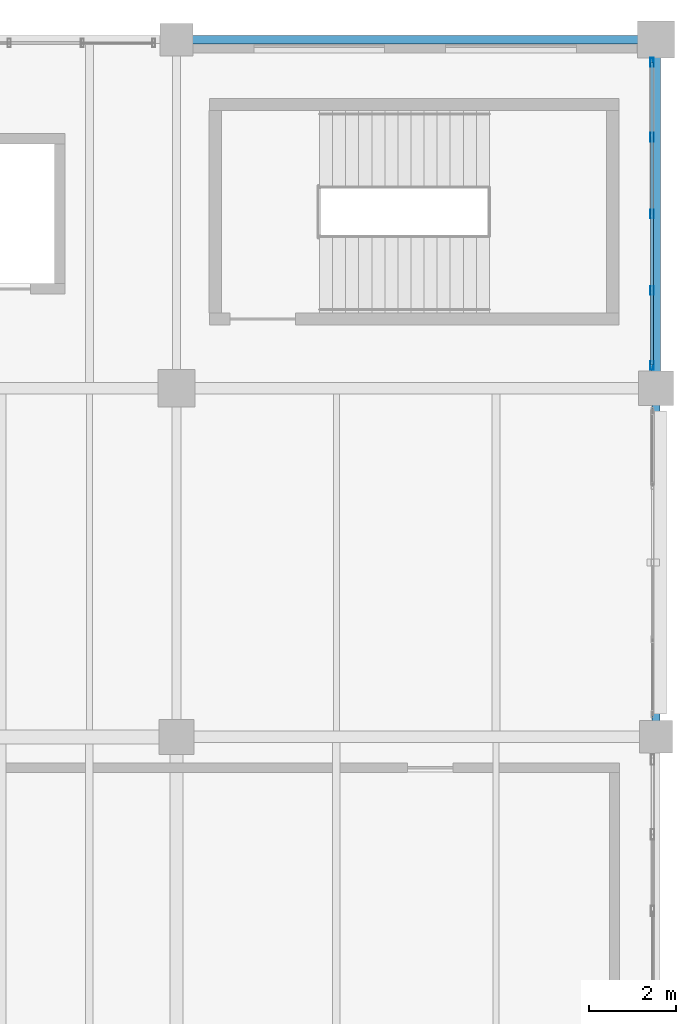
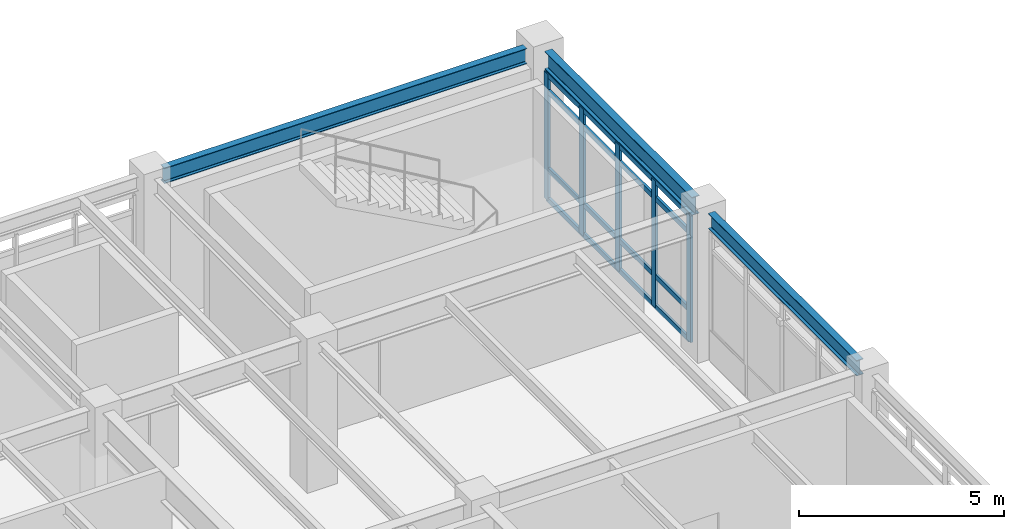
# One storey, part 124 of 168: 9 members, 3 beams, 1 element without a shape of its own.
"""IFC4 building model written with IfcOpenShell, lengths in metres."""

from ifc_helpers import new_model, si_unit, direction, frame, origin, origin_2d, place, context, subcontext, project, spatial, hollow_rectangle, i_section, extrude, material, material_profile, profile_set, type_object, element, aggregate, save


model = new_model("IFC4")

# Units and contexts
model_context = context("Model", 3, precision=1e-05, world=origin(), true_north=direction((0.0, 1.0)))
body_context = subcontext(model_context, "Body", "Model", "MODEL_VIEW")
ifc_project = project(units=[si_unit("LENGTHUNIT", "METRE"), si_unit("AREAUNIT", "SQUARE_METRE"), si_unit("VOLUMEUNIT", "CUBIC_METRE"), si_unit("PLANEANGLEUNIT", "RADIAN"), si_unit("MASSUNIT", "GRAM", prefix="KILO"), si_unit("THERMODYNAMICTEMPERATUREUNIT", "KELVIN"), si_unit("POWERUNIT", "WATT")], contexts=[model_context])

# Site, building, storey
site_placement = place(None, origin())
site = spatial("IfcSite", under=ifc_project, at=site_placement, CompositionType="ELEMENT")
building_placement = place(site_placement, origin())
building = spatial("IfcBuilding", under=site, at=building_placement, Name="Tepalcoro Natatorium and Aquatics Centre", CompositionType="ELEMENT")
storey_placement = place(building_placement, frame((0.0, 0.0, 10.199951171875)))
storey = spatial("IfcBuildingStorey", under=building, at=storey_placement, Name="L02", CompositionType="ELEMENT", Elevation=10.199951171875)

# Curtain wall, members
ifc_material_1 = material(Name="Bronze-Anodised Extruded Aluminium Alloy EN AW-6063 T6", Category="aluminium")
curtain_wall_type = type_object("IfcCurtainWallType", Name="CW_V1_PLINTH", PredefinedType="USERDEFINED", material=ifc_material_1)
curtain_wall_placement = place(storey_placement, origin())
curtain_wall = element("IfcCurtainWall", 1, at=curtain_wall_placement, inside=storey, type_object=curtain_wall_type, Name="V5 L02 E Unitised Curtain Wall Bay 4", ObjectType="UNITISED STOREFRONT", PredefinedType="USERDEFINED")
ifc_material_profile_1 = material_profile(ifc_material_1, hollow_rectangle(XDim=0.070068359375, YDim=0.199951171875, WallThickness=0.0048828125, at=origin_2d()), Name="AL70X200X5")
ifc_profile_set_1 = profile_set([ifc_material_profile_1], Name="Bronze-Anodised Extruded Aluminium Alloy EN AW-6063 T6")
member_type_1 = type_object("IfcMemberType", Name="CW_MUL_70x200", PredefinedType="MULLION", material=ifc_profile_set_1)
member_1_placement = place(storey_placement, frame((175.909912109375, 110.52001953125, 0.02001953125), z_axis=(0.0, 0.0, 1.0), x_axis=(1.0, 0.0, 0.0)))
member_1 = element("IfcMember", 2, at=member_1_placement, type_object=member_type_1, Name="CW_V1_PLINTH Curtain Wall Mullion", PredefinedType="MULLION", context=body_context, shape_type="SweptSolid", body=[
    extrude(hollow_rectangle(XDim=0.070068359375, YDim=0.199951171875, WallThickness=0.0048828125, at=origin_2d()), origin(), (0.0, 0.0, 1.0), 3.77392578125),
])
member_2_placement = place(storey_placement, frame((175.909912109375, 112.239990234375, 0.02001953125), z_axis=(0.0, 0.0, 1.0), x_axis=(1.0, 0.0, 0.0)))
member_2 = element("IfcMember", 3, at=member_2_placement, type_object=member_type_1, Name="CW_V1_PLINTH Curtain Wall Mullion", PredefinedType="MULLION", context=body_context, shape_type="SweptSolid", body=[
    extrude(hollow_rectangle(XDim=0.070068359375, YDim=0.199951171875, WallThickness=0.0048828125, at=origin_2d()), origin(), (0.0, 0.0, 1.0), 3.77392578125),
])
member_3_placement = place(storey_placement, frame((175.909912109375, 114.0, 0.02001953125), z_axis=(0.0, 0.0, 1.0), x_axis=(1.0, 0.0, 0.0)))
member_3 = element("IfcMember", 4, at=member_3_placement, type_object=member_type_1, Name="CW_V1_PLINTH Curtain Wall Mullion", PredefinedType="MULLION", context=body_context, shape_type="SweptSolid", body=[
    extrude(hollow_rectangle(XDim=0.070068359375, YDim=0.199951171875, WallThickness=0.0048828125, at=origin_2d()), origin(), (0.0, 0.0, 1.0), 3.77392578125),
])
member_4_placement = place(storey_placement, frame((175.909912109375, 115.760009765625, 0.02001953125), z_axis=(0.0, 0.0, 1.0), x_axis=(1.0, 0.0, 0.0)))
member_4 = element("IfcMember", 5, at=member_4_placement, type_object=member_type_1, Name="CW_V1_PLINTH Curtain Wall Mullion", PredefinedType="MULLION", context=body_context, shape_type="SweptSolid", body=[
    extrude(hollow_rectangle(XDim=0.070068359375, YDim=0.199951171875, WallThickness=0.0048828125, at=origin_2d()), origin(), (0.0, 0.0, 1.0), 3.77392578125),
])
member_5_placement = place(storey_placement, frame((175.909912109375, 117.47998046875, 0.02001953125), z_axis=(0.0, 0.0, 1.0), x_axis=(1.0, 0.0, 0.0)))
member_5 = element("IfcMember", 6, at=member_5_placement, type_object=member_type_1, Name="CW_V1_PLINTH Curtain Wall Mullion", PredefinedType="MULLION", context=body_context, shape_type="SweptSolid", body=[
    extrude(hollow_rectangle(XDim=0.070068359375, YDim=0.199951171875, WallThickness=0.0048828125, at=origin_2d()), origin(), (0.0, 0.0, 1.0), 3.77392578125),
])
ifc_material_profile_2 = material_profile(ifc_material_1, hollow_rectangle(XDim=0.070068359375, YDim=0.14990234375, WallThickness=0.00390625, at=origin_2d()), Name="AL70X150X4")
ifc_profile_set_2 = profile_set([ifc_material_profile_2], Name="Bronze-Anodised Extruded Aluminium Alloy EN AW-6063 T6")
member_type_2 = type_object("IfcMemberType", Name="CW_TRN_70x150", PredefinedType="USERDEFINED", material=ifc_profile_set_2)
member_6_placement = place(storey_placement, frame((175.909912109375, 110.530029296875, 0.050048828125), z_axis=(0.0, 1.0, 0.0), x_axis=(-1.0, 0.0, 0.0)))
member_6 = element("IfcMember", 7, at=member_6_placement, type_object=member_type_2, Name="CW_V1_PLINTH Curtain Wall Transom", ObjectType="TRANSOM", PredefinedType="USERDEFINED", context=body_context, shape_type="SweptSolid", body=[
    extrude(hollow_rectangle(XDim=0.070068359375, YDim=0.14990234375, WallThickness=0.00390625, at=origin_2d()), origin(), (0.0, 0.0, 1.0), 6.93994140625),
])
member_7_placement = place(storey_placement, frame((175.909912109375, 110.530029296875, 0.949951171875), z_axis=(0.0, 1.0, 0.0), x_axis=(-1.0, 0.0, 0.0)))
member_7 = element("IfcMember", 8, at=member_7_placement, type_object=member_type_2, Name="CW_V1_PLINTH Curtain Wall Transom", ObjectType="TRANSOM", PredefinedType="USERDEFINED", context=body_context, shape_type="SweptSolid", body=[
    extrude(hollow_rectangle(XDim=0.070068359375, YDim=0.14990234375, WallThickness=0.00390625, at=origin_2d()), origin(), (0.0, 0.0, 1.0), 6.93994140625),
])
member_8_placement = place(storey_placement, frame((175.909912109375, 110.530029296875, 3.26416015625), z_axis=(0.0, 1.0, 0.0), x_axis=(-1.0, 0.0, 0.0)))
member_8 = element("IfcMember", 9, at=member_8_placement, type_object=member_type_2, Name="CW_V1_PLINTH Curtain Wall Transom", ObjectType="TRANSOM", PredefinedType="USERDEFINED", context=body_context, shape_type="SweptSolid", body=[
    extrude(hollow_rectangle(XDim=0.070068359375, YDim=0.14990234375, WallThickness=0.00390625, at=origin_2d()), origin(), (0.0, 0.0, 1.0), 6.93994140625),
])
member_9_placement = place(storey_placement, frame((175.909912109375, 110.530029296875, 3.76416015625), z_axis=(0.0, 1.0, 0.0), x_axis=(-1.0, 0.0, 0.0)))
member_9 = element("IfcMember", 10, at=member_9_placement, type_object=member_type_2, Name="CW_V1_PLINTH Curtain Wall Transom", ObjectType="TRANSOM", PredefinedType="USERDEFINED", context=body_context, shape_type="SweptSolid", body=[
    extrude(hollow_rectangle(XDim=0.070068359375, YDim=0.14990234375, WallThickness=0.00390625, at=origin_2d()), origin(), (0.0, 0.0, 1.0), 6.93994140625),
])
aggregate(curtain_wall, [member_1, member_2, member_3, member_4, member_5, member_6, member_7, member_8, member_9])

# Beams
ifc_material_2 = material(Name="Steel ASTM A992 Grade 50 (Fy 345 MPa)", Category="steel")
ifc_material_profile_3 = material_profile(ifc_material_2, i_section(OverallWidth=0.19091796875, OverallDepth=0.4599609375, WebThickness=0.010009765625, FlangeThickness=0.01611328125, FilletRadius=0.013916015625, at=origin_2d()), Name="W18X55")
ifc_profile_set_3 = profile_set([ifc_material_profile_3], Name="Steel ASTM A992 Grade 50 (Fy 345 MPa)")
beam_type_1 = type_object("IfcBeamType", Name="SP_W18x55", PredefinedType="SPANDREL", material=ifc_profile_set_3)
beam_1_placement = place(storey_placement, frame((165.360107421875, 118.0, 4.135009765625), z_axis=(1.0, 0.0, 0.0), x_axis=(0.0, 1.0, 0.0)))
element("IfcBeam", 11, at=beam_1_placement, inside=storey, type_object=beam_type_1, Name="V5 L02 Grid Girder X", PredefinedType="SPANDREL", context=body_context, shape_type="SweptSolid", body=[
    extrude(i_section(OverallWidth=0.19091796875, OverallDepth=0.4599609375, WebThickness=0.010009765625, FlangeThickness=0.01611328125, FilletRadius=0.013916015625, at=origin_2d()), origin(), (0.0, 0.0, 1.0), 10.22998046875),
])
beam_2_placement = place(storey_placement, frame((176.0, 102.360107421875, 4.135009765625), z_axis=(0.0, 1.0, 0.0), x_axis=(-1.0, 0.0, 0.0)))
element("IfcBeam", 12, at=beam_2_placement, inside=storey, type_object=beam_type_1, Name="V5 L02 Grid Girder Y", PredefinedType="SPANDREL", context=body_context, shape_type="SweptSolid", body=[
    extrude(i_section(OverallWidth=0.19091796875, OverallDepth=0.4599609375, WebThickness=0.010009765625, FlangeThickness=0.01611328125, FilletRadius=0.013916015625, at=origin_2d()), origin(), (0.0, 0.0, 1.0), 7.2548828125),
])
ifc_material_profile_4 = material_profile(ifc_material_2, i_section(OverallWidth=0.2099609375, OverallDepth=0.535888671875, WebThickness=0.010986328125, FlangeThickness=0.01708984375, FilletRadius=0.013916015625, at=origin_2d()), Name="W21X68")
ifc_profile_set_4 = profile_set([ifc_material_profile_4], Name="Steel ASTM A992 Grade 50 (Fy 345 MPa)")
beam_type_2 = type_object("IfcBeamType", Name="SP_W21x68", PredefinedType="SPANDREL", material=ifc_profile_set_4)
beam_3_placement = place(storey_placement, frame((176.0, 110.385009765625, 4.09716796875), z_axis=(0.0, 1.0, 0.0), x_axis=(-1.0, 0.0, 0.0)))
element("IfcBeam", 13, at=beam_3_placement, inside=storey, type_object=beam_type_2, Name="V5 L02 Grid Girder Y", PredefinedType="SPANDREL", context=body_context, shape_type="SweptSolid", body=[
    extrude(i_section(OverallWidth=0.2099609375, OverallDepth=0.535888671875, WebThickness=0.010986328125, FlangeThickness=0.01708984375, FilletRadius=0.013916015625, at=origin_2d()), origin(), (0.0, 0.0, 1.0), 7.205078125),
])

save(model, "model.ifc")
